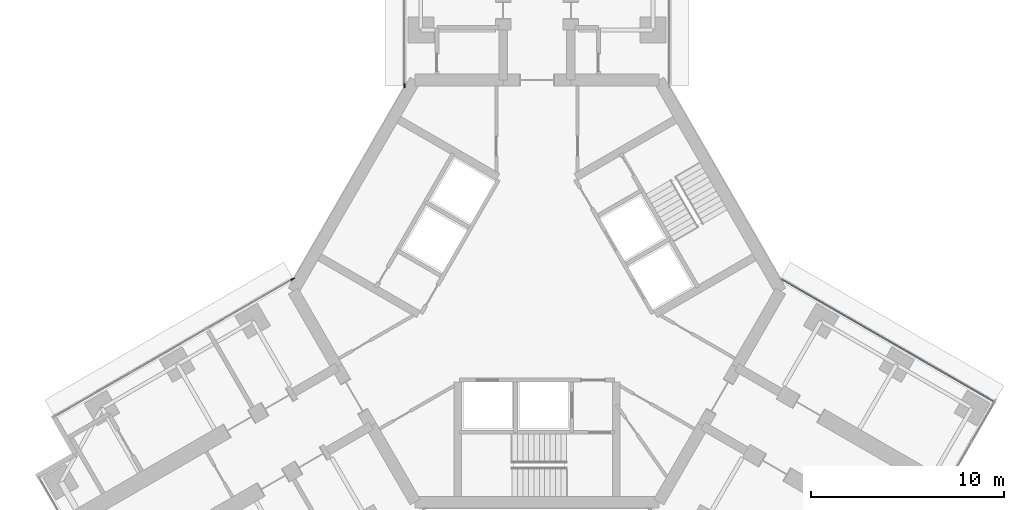
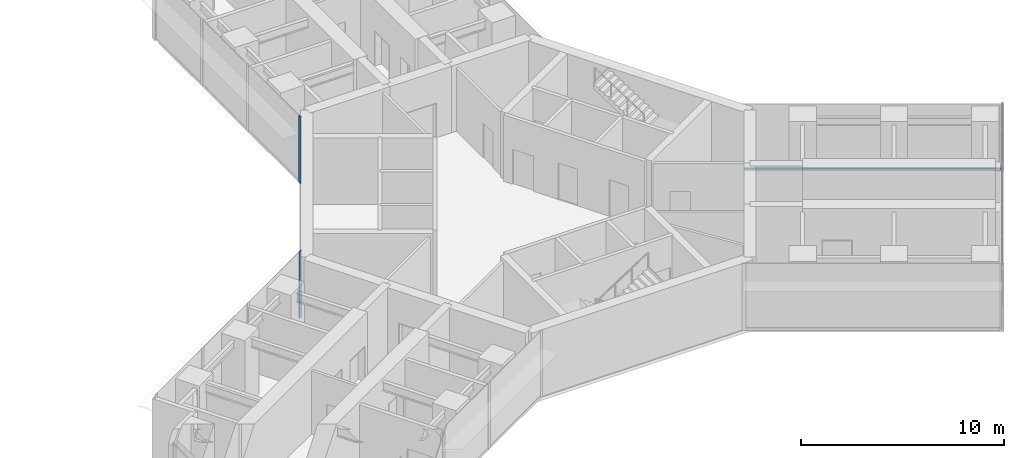
# One storey, part 9 of 21: 3 members, 3 elements without a shape of their own.
"""IFC4 building model written with IfcOpenShell, lengths in metres."""

from ifc_helpers import new_model, si_unit, direction, frame, origin, origin_2d, place, context, subcontext, project, spatial, rectangle, extrude, material, material_profile, profile_set, type_object, element, aggregate, save


model = new_model("IFC4")

# Units and contexts
model_context = context("Model", 3, precision=1e-05, world=origin(), true_north=direction((0.0, 1.0)))
body_context = subcontext(model_context, "Body", "Model", "MODEL_VIEW")
ifc_project = project(units=[si_unit("LENGTHUNIT", "METRE"), si_unit("AREAUNIT", "SQUARE_METRE"), si_unit("VOLUMEUNIT", "CUBIC_METRE"), si_unit("PLANEANGLEUNIT", "RADIAN"), si_unit("MASSUNIT", "GRAM", prefix="KILO")], contexts=[model_context])

# Site, building, storey
site_placement = place(None, origin())
site = spatial("IfcSite", under=ifc_project, at=site_placement, CompositionType="ELEMENT")
building_placement = place(site_placement, origin())
building = spatial("IfcBuilding", under=site, at=building_placement, Name="Upepo Twin Towers", CompositionType="ELEMENT")
storey_placement = place(building_placement, frame((0.0, 0.0, 113.5)))
storey = spatial("IfcBuildingStorey", under=building, at=storey_placement, Name="L27", CompositionType="ELEMENT", Elevation=113.5)

# Curtain wall, member
ifc_material_1 = material(Name="Aluminium and fritted glass", Category="aluminium")
curtain_wall_type = type_object("IfcCurtainWallType", Name="Tower curtain wall TW2, fritted glass", PredefinedType="NOTDEFINED", material=ifc_material_1)
curtain_wall_1_placement = place(storey_placement, origin())
curtain_wall_1 = element("IfcCurtainWall", 1, at=curtain_wall_1_placement, inside=storey, type_object=curtain_wall_type, Name="T2 L27 wing A flank L curtain wall", PredefinedType="NOTDEFINED")
ifc_material_2 = material(Name="Aluminium mullion", Category="aluminium")
ifc_material_profile_1 = material_profile(ifc_material_2, rectangle(XDim=0.06494140625, YDim=0.199951171875, at=origin_2d()), Name="MULLION 65x200")
ifc_profile_set_1 = profile_set([ifc_material_profile_1], Name="Aluminium mullion")
member_type_1 = type_object("IfcMemberType", Name="Mullion 65x200 TW2", PredefinedType="MULLION", material=ifc_profile_set_1)
member_1_placement = place(storey_placement, frame((51.64990234375, -7.38037109375, 0.0), z_axis=(0.0, 0.0, 1.0), x_axis=(-1.0, 0.0, 0.0)))
member_1 = element("IfcMember", 2, at=member_1_placement, type_object=member_type_1, Name="T2 L27 wing A flank L curtain wall mullion 1", PredefinedType="MULLION", context=body_context, shape_type="SweptSolid", body=[
    extrude(rectangle(XDim=0.06494140625, YDim=0.199951171875, at=origin_2d()), origin(), (0.0, 0.0, 1.0), 4.0),
])
aggregate(curtain_wall_1, [member_1])

curtain_wall_2_placement = place(storey_placement, origin())
curtain_wall_2 = element("IfcCurtainWall", 3, at=curtain_wall_2_placement, inside=storey, type_object=curtain_wall_type, Name="T2 L27 wing B flank R curtain wall", PredefinedType="NOTDEFINED")
member_2_placement = place(storey_placement, frame((45.878173828125, -17.37744140625, 0.0), z_axis=(0.0, 0.0, 1.0), x_axis=(-0.500000010308, 0.866025397833, 0.0)))
member_2 = element("IfcMember", 4, at=member_2_placement, type_object=member_type_1, Name="T2 L27 wing B flank R curtain wall mullion 4", PredefinedType="MULLION", context=body_context, shape_type="SweptSolid", body=[
    extrude(rectangle(XDim=0.06494140625, YDim=0.199951171875, at=origin_2d()), origin(), (0.0, 0.0, 1.0), 4.0),
])
aggregate(curtain_wall_2, [member_2])

curtain_wall_3_placement = place(storey_placement, origin())
curtain_wall_3 = element("IfcCurtainWall", 5, at=curtain_wall_3_placement, inside=storey, type_object=curtain_wall_type, Name="T2 L27 wing C flank L curtain wall", PredefinedType="NOTDEFINED")
ifc_material_3 = material(Name="Aluminium transom", Category="aluminium")
ifc_material_profile_2 = material_profile(ifc_material_3, rectangle(XDim=0.06494140625, YDim=0.14990234375, at=origin_2d()), Name="TRANSOM 65x150")
ifc_profile_set_2 = profile_set([ifc_material_profile_2], Name="Aluminium transom")
member_type_2 = type_object("IfcMemberType", Name="Transom 65x150 TW2", PredefinedType="USERDEFINED", material=ifc_profile_set_2)
member_3_placement = place(storey_placement, frame((71.14990234375, -17.393798828125, 0.074951171875), z_axis=(0.866027247007, -0.499996807431, 0.0), x_axis=(0.499996807431, 0.866027247007, 0.0)))
member_3 = element("IfcMember", 6, at=member_3_placement, type_object=member_type_2, Name="T2 L27 wing C flank L curtain wall transom 1", ObjectType="TRANSOM", PredefinedType="USERDEFINED", context=body_context, shape_type="SweptSolid", body=[
    extrude(rectangle(XDim=0.06494140625, YDim=0.14990234375, at=origin_2d()), origin(), (0.0, 0.0, 1.0), 12.6328125),
])
aggregate(curtain_wall_3, [member_3])

save(model, "model.ifc")
